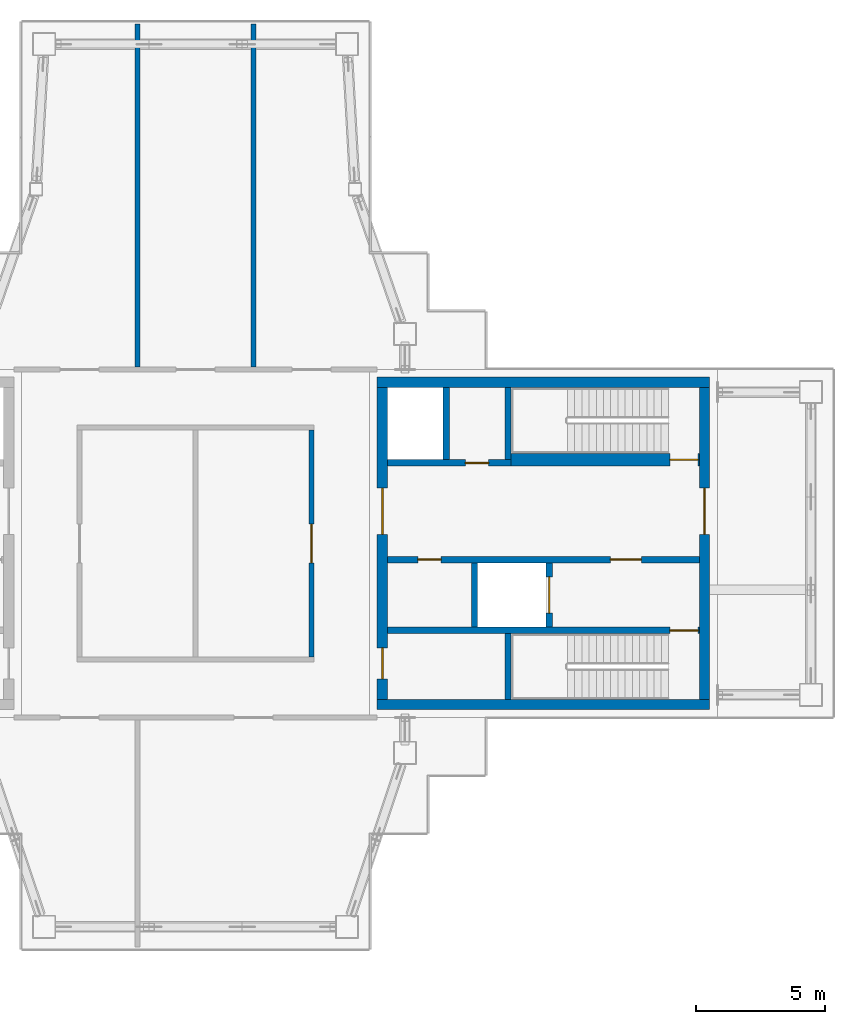
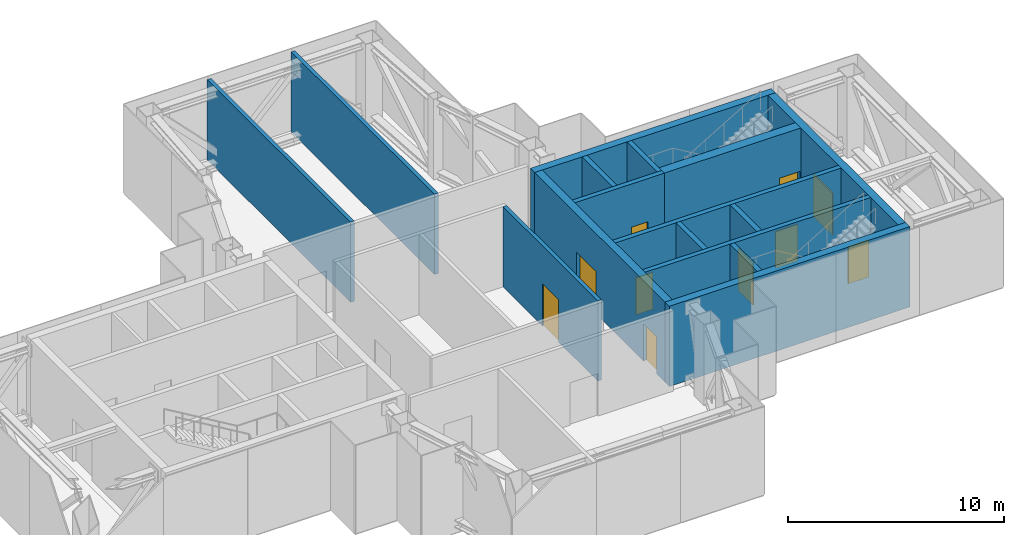
# One storey, part 9 of 18: 16 walls, 10 doors, 10 openings.
"""IFC4 building model written with IfcOpenShell, lengths in metres."""

from ifc_helpers import new_model, si_unit, direction, frame, frame_2d, origin, place, context, subcontext, project, spatial, rectangle, extrude, material, layer, layer_set, type_object, element, fill, save


model = new_model("IFC4")

# Units and contexts
model_context = context("Model", 3, precision=1e-05, world=origin(), true_north=direction((0.0, 1.0)))
body_context = subcontext(model_context, "Body", "Model", "MODEL_VIEW")
ifc_project = project(units=[si_unit("LENGTHUNIT", "METRE"), si_unit("AREAUNIT", "SQUARE_METRE"), si_unit("VOLUMEUNIT", "CUBIC_METRE"), si_unit("PLANEANGLEUNIT", "RADIAN"), si_unit("MASSUNIT", "GRAM", prefix="KILO")], contexts=[model_context])

# Site, building, storey
site_placement = place(None, origin())
site = spatial("IfcSite", under=ifc_project, at=site_placement, CompositionType="ELEMENT")
building_placement = place(site_placement, origin())
building = spatial("IfcBuilding", under=site, at=building_placement, Name="Shamsa Quay Exchange Towers", CompositionType="ELEMENT")
storey_placement = place(building_placement, frame((0.0, 0.0, 273.300048828125)))
storey = spatial("IfcBuildingStorey", under=building, at=storey_placement, Name="L66", CompositionType="ELEMENT", Elevation=273.300048828125)

# Walls
ifc_material_1 = material(Name="Concrete C60/75", Category="concrete")
ifc_layer_1 = layer(ifc_material_1, 0.39990234375)
ifc_layer_set_1 = layer_set([ifc_layer_1], Name="CORE WALL 400 C60/75")
wall_type_1 = type_object("IfcWallType", Name="CORE WALL 400 C60/75", PredefinedType="SHEAR", material=ifc_layer_set_1)
for number, where, z_axis, x_axis, name in (
    (1, (53.699951171875, -6.25, 0.0), (0.0, 0.0, 1.0), (-1.0, 0.0, 0.0), "Core wall T2B-L66-PS"),
    (2, (53.699951171875, 6.25, 0.0), (0.0, 0.0, 1.0), (-1.0, 0.0, 0.0), "Core wall T2B-L66-PN"),
):
    element("IfcWall", number, at=place(storey_placement, frame(where, z_axis=z_axis, x_axis=x_axis)), inside=storey, type_object=wall_type_1, Name=name, PredefinedType="SHEAR", context=body_context, shape_type="SweptSolid", body=[
        extrude(rectangle(XDim=12.89990234375, YDim=0.39990234375, at=frame_2d((6.449951171875, 0.0))), origin(), (0.0, 0.0, 1.0), 4.550048828125),
    ])

# Wall, opening, door
wall_1_placement = place(storey_placement, frame((53.5, -6.050048828125, 0.0), z_axis=(0.0, 0.0, 1.0), x_axis=(0.0, 1.0, 0.0)))
wall_1 = element("IfcWall", 3, at=wall_1_placement, inside=storey, type_object=wall_type_1, Name="Core wall T2B-L66-PF", PredefinedType="SHEAR", context=body_context, shape_type="SweptSolid", body=[
    extrude(rectangle(XDim=12.10009765625, YDim=0.39990234375, at=frame_2d((6.050048828125, 0.0))), origin(), (0.0, 0.0, 1.0), 4.550048828125),
])
opening_1_placement = place(wall_1_placement, frame((6.39990234375, 0.0, 0.0)))
opening_1 = element("IfcOpeningElement", 4, at=opening_1_placement, cuts=wall_1, Name="Opening T2B-L66-LBD01", PredefinedType="OPENING", context=body_context, shape_type="SweptSolid", body=[
    extrude(rectangle(XDim=1.800048828125, YDim=2.39990234375, at=frame_2d((0.89990234375, 1.199951171875))), frame((0.0, 0.2099609375, 0.0), z_axis=(0.0, -1.0, 0.0), x_axis=(1.0, 0.0, 0.0)), (0.0, 0.0, 1.0), 0.419921875),
])
ifc_material_2 = material(Name="Steel, fire rated", Category="steel")
door_type_1 = type_object("IfcDoorType", Name="LIFT LOBBY DOOR PAIR 1800", OperationType="DOUBLE_DOOR_SINGLE_SWING", PredefinedType="DOOR", material=ifc_material_2)
door_1_placement = place(opening_1_placement, origin())
door_1 = element("IfcDoor", 5, at=door_1_placement, inside=storey, type_object=door_type_1, Name="T2B-L66-LBD01", OperationType="DOUBLE_DOOR_SINGLE_SWING", OverallHeight=2.39990234375, OverallWidth=1.800048828125, PredefinedType="DOOR", context=body_context, shape_type="SweptSolid", body=[
    extrude(rectangle(XDim=1.800048828125, YDim=2.39990234375, at=frame_2d((0.89990234375, 1.199951171875))), frame((0.0, 0.02490234375, 0.0), z_axis=(0.0, -1.0, 0.0), x_axis=(1.0, 0.0, 0.0)), (0.0, 0.0, 1.0), 0.050048828125),
])
fill(opening_1, door_1)

# Wall, openings, doors
wall_2_placement = place(storey_placement, frame((41.0, -6.050048828125, 0.0), z_axis=(0.0, 0.0, 1.0), x_axis=(0.0, 1.0, 0.0)))
wall_2 = element("IfcWall", 6, at=wall_2_placement, inside=storey, type_object=wall_type_1, Name="Core wall T2B-L66-PB", PredefinedType="SHEAR", context=body_context, shape_type="SweptSolid", body=[
    extrude(rectangle(XDim=12.10009765625, YDim=0.39990234375, at=frame_2d((6.050048828125, 0.0))), origin(), (0.0, 0.0, 1.0), 4.550048828125),
])
opening_2_placement = place(wall_2_placement, frame((0.800048828125, 0.0, 0.0)))
opening_2 = element("IfcOpeningElement", 7, at=opening_2_placement, cuts=wall_2, Name="Opening T2B-L66-RD02", PredefinedType="OPENING", context=body_context, shape_type="SweptSolid", body=[
    extrude(rectangle(XDim=1.199951171875, YDim=2.10009765625, at=frame_2d((0.60009765625, 1.050048828125))), frame((0.0, 0.2099609375, 0.0), z_axis=(0.0, -1.0, 0.0), x_axis=(1.0, 0.0, 0.0)), (0.0, 0.0, 1.0), 0.419921875),
])
opening_3_placement = place(wall_2_placement, frame((6.39990234375, 0.0, 0.0)))
opening_3 = element("IfcOpeningElement", 8, at=opening_3_placement, cuts=wall_2, Name="Opening T2B-L66-LBD03", PredefinedType="OPENING", context=body_context, shape_type="SweptSolid", body=[
    extrude(rectangle(XDim=1.800048828125, YDim=2.39990234375, at=frame_2d((0.89990234375, 1.199951171875))), frame((0.0, 0.2099609375, 0.0), z_axis=(0.0, -1.0, 0.0), x_axis=(1.0, 0.0, 0.0)), (0.0, 0.0, 1.0), 0.419921875),
])
door_2_placement = place(opening_3_placement, origin())
door_2 = element("IfcDoor", 9, at=door_2_placement, inside=storey, type_object=door_type_1, Name="T2B-L66-LBD03", OperationType="DOUBLE_DOOR_SINGLE_SWING", OverallHeight=2.39990234375, OverallWidth=1.800048828125, PredefinedType="DOOR", context=body_context, shape_type="SweptSolid", body=[
    extrude(rectangle(XDim=1.800048828125, YDim=2.39990234375, at=frame_2d((0.89990234375, 1.199951171875))), frame((0.0, 0.02490234375, 0.0), z_axis=(0.0, -1.0, 0.0), x_axis=(1.0, 0.0, 0.0)), (0.0, 0.0, 1.0), 0.050048828125),
])
fill(opening_3, door_2)
door_type_2 = type_object("IfcDoorType", Name="RISER ACCESS DOOR 1200", OperationType="SINGLE_SWING_LEFT", PredefinedType="DOOR", material=ifc_material_2)
door_3_placement = place(opening_2_placement, origin())
door_3 = element("IfcDoor", 10, at=door_3_placement, inside=storey, type_object=door_type_2, Name="T2B-L66-RD02", OperationType="SINGLE_SWING_LEFT", OverallHeight=2.10009765625, OverallWidth=1.199951171875, PredefinedType="DOOR", context=body_context, shape_type="SweptSolid", body=[
    extrude(rectangle(XDim=1.199951171875, YDim=2.10009765625, at=frame_2d((0.60009765625, 1.050048828125))), frame((0.0, 0.02490234375, 0.0), z_axis=(0.0, -1.0, 0.0), x_axis=(1.0, 0.0, 0.0)), (0.0, 0.0, 1.0), 0.050048828125),
])
fill(opening_2, door_3)

# Wall, opening, door
ifc_material_3 = material(Name="Gypsum board partition on metal studs")
ifc_layer_2 = layer(ifc_material_3, 0.199951171875)
ifc_layer_set_2 = layer_set([ifc_layer_2], Name="Partition 200 mm EI 120")
wall_type_2 = type_object("IfcWallType", Name="Partition 200 mm EI 120", PredefinedType="PARTITIONING", material=ifc_layer_set_2)
wall_3_placement = place(storey_placement, frame((38.25, -4.39990234375, 0.0), z_axis=(0.0, 0.0, 1.0), x_axis=(0.0, 1.0, 0.0)))
wall_3 = element("IfcWall", 11, at=wall_3_placement, inside=storey, type_object=wall_type_2, Name="Partition T2-L66-W01", PredefinedType="PARTITIONING", context=body_context, shape_type="SweptSolid", body=[
    extrude(rectangle(XDim=8.7998046875, YDim=0.199951171875, at=frame_2d((4.39990234375, 0.0))), origin(), (0.0, 0.0, 1.0), 4.550048828125),
])
opening_4_placement = place(wall_3_placement, frame((3.64990234375, 0.0, 0.0)))
opening_4 = element("IfcOpeningElement", 12, at=opening_4_placement, cuts=wall_3, Name="Opening T2-L66-D04", PredefinedType="OPENING", context=body_context, shape_type="SweptSolid", body=[
    extrude(rectangle(XDim=1.5, YDim=2.39990234375, at=frame_2d((0.75, 1.199951171875))), frame((0.0, 0.10986328125, 0.0), z_axis=(0.0, -1.0, 0.0), x_axis=(1.0, 0.0, 0.0)), (0.0, 0.0, 1.0), 0.219970703125),
])
ifc_material_4 = material(Name="Timber door leaf in a metal frame", Category="wood")
door_type_3 = type_object("IfcDoorType", Name="Door 1500x2400 FD60 pair", OperationType="NOTDEFINED", PredefinedType="DOOR", material=ifc_material_4)
door_4_placement = place(opening_4_placement, origin())
door_4 = element("IfcDoor", 13, at=door_4_placement, inside=storey, type_object=door_type_3, Name="Door T2-L66-D04", OperationType="DOUBLE_DOOR_SINGLE_SWING", OverallHeight=2.39990234375, OverallWidth=1.5, PredefinedType="DOOR", context=body_context, shape_type="SweptSolid", body=[
    extrude(rectangle(XDim=1.5, YDim=2.39990234375, at=frame_2d((0.75, 1.199951171875))), frame((0.0, 0.02490234375, 0.0), z_axis=(0.0, -1.0, 0.0), x_axis=(1.0, 0.0, 0.0)), (0.0, 0.0, 1.0), 0.050048828125),
])
fill(opening_4, door_4)

# Walls
for number, where, z_axis, x_axis, name in (
    (14, (36.0, 20.155029296875, 0.0), (0.0, 0.0, 1.0), (0.0, -1.0, 0.0), "Partition T2-L66-W08"),
    (15, (31.5, 20.155029296875, 0.0), (0.0, 0.0, 1.0), (0.0, -1.0, 0.0), "Partition T2-L66-W10"),
):
    element("IfcWall", number, at=place(storey_placement, frame(where, z_axis=z_axis, x_axis=x_axis)), inside=storey, type_object=wall_type_2, Name=name, PredefinedType="PARTITIONING", context=body_context, shape_type="SweptSolid", body=[
        extrude(rectangle(XDim=13.304931640625, YDim=0.199951171875, at=frame_2d((6.65234375, 0.0))), origin(), (0.0, 0.0, 1.0), 4.550048828125),
    ])

# Wall, opening, door
ifc_material_5 = material(Name="Concrete C50/60", Category="concrete")
ifc_layer_3 = layer(ifc_material_5, 0.25)
ifc_layer_set_3 = layer_set([ifc_layer_3], Name="SHAFT WALL 250 C50/60")
wall_type_3 = type_object("IfcWallType", Name="SHAFT WALL 250 C50/60", PredefinedType="SHEAR", material=ifc_layer_set_3)
wall_4_placement = place(storey_placement, frame((53.300048828125, -3.375, 0.0), z_axis=(0.0, 0.0, 1.0), x_axis=(-1.0, 0.0, 0.0)))
wall_4 = element("IfcWall", 16, at=wall_4_placement, inside=storey, type_object=wall_type_3, Name="Shaft wall T2B-L66-STL", PredefinedType="SHEAR", context=body_context, shape_type="SweptSolid", body=[
    extrude(rectangle(XDim=12.10009765625, YDim=0.25, at=frame_2d((6.050048828125, 0.0))), origin(), (0.0, 0.0, 1.0), 4.550048828125),
])
opening_5_placement = place(wall_4_placement, frame((0.050048828125, 0.0, 0.0)))
opening_5 = element("IfcOpeningElement", 17, at=opening_5_placement, cuts=wall_4, Name="Opening T2B-L66-SD04", PredefinedType="OPENING", context=body_context, shape_type="SweptSolid", body=[
    extrude(rectangle(XDim=1.10009765625, YDim=2.10009765625, at=frame_2d((0.550048828125, 1.050048828125))), frame((0.0, 0.135009765625, 0.0), z_axis=(0.0, -1.0, 0.0), x_axis=(1.0, 0.0, 0.0)), (0.0, 0.0, 1.0), 0.27001953125),
])
door_type_4 = type_object("IfcDoorType", Name="STAIR DOOR 1100", OperationType="SINGLE_SWING_LEFT", PredefinedType="DOOR", material=ifc_material_2)
door_5_placement = place(opening_5_placement, origin())
door_5 = element("IfcDoor", 18, at=door_5_placement, inside=storey, type_object=door_type_4, Name="T2B-L66-SD04", OperationType="SINGLE_SWING_LEFT", OverallHeight=2.10009765625, OverallWidth=1.10009765625, PredefinedType="DOOR", context=body_context, shape_type="SweptSolid", body=[
    extrude(rectangle(XDim=1.10009765625, YDim=2.10009765625, at=frame_2d((0.550048828125, 1.050048828125))), frame((0.0, 0.02490234375, 0.0), z_axis=(0.0, -1.0, 0.0), x_axis=(1.0, 0.0, 0.0)), (0.0, 0.0, 1.0), 0.050048828125),
])
fill(opening_5, door_5)

# Wall
wall_5_placement = place(storey_placement, frame((45.875, -6.050048828125, 0.0), z_axis=(0.0, 0.0, 1.0), x_axis=(0.0, 1.0, 0.0)))
element("IfcWall", 19, at=wall_5_placement, inside=storey, type_object=wall_type_3, Name="Shaft wall T2B-L66-STF", PredefinedType="SHEAR", context=body_context, shape_type="SweptSolid", body=[
    extrude(rectangle(XDim=2.550048828125, YDim=0.25, at=frame_2d((1.27490234375, 0.0))), origin(), (0.0, 0.0, 1.0), 4.550048828125),
])

# Wall, openings, doors
wall_6_placement = place(storey_placement, frame((53.300048828125, -0.625, 0.0), z_axis=(0.0, 0.0, 1.0), x_axis=(-1.0, 0.0, 0.0)))
wall_6 = element("IfcWall", 20, at=wall_6_placement, inside=storey, type_object=wall_type_3, Name="Shaft wall T2B-L66-B", PredefinedType="SHEAR", context=body_context, shape_type="SweptSolid", body=[
    extrude(rectangle(XDim=12.10009765625, YDim=0.25, at=frame_2d((6.050048828125, 0.0))), origin(), (0.0, 0.0, 1.0), 4.550048828125),
])
opening_6_placement = place(wall_6_placement, frame((2.25, 0.0, 0.0)))
opening_6 = element("IfcOpeningElement", 21, at=opening_6_placement, cuts=wall_6, Name="Opening T2B-L66-FD05", PredefinedType="OPENING", context=body_context, shape_type="SweptSolid", body=[
    extrude(rectangle(XDim=1.199951171875, YDim=2.10009765625, at=frame_2d((0.60009765625, 1.050048828125))), frame((0.0, 0.135009765625, 0.0), z_axis=(0.0, -1.0, 0.0), x_axis=(1.0, 0.0, 0.0)), (0.0, 0.0, 1.0), 0.27001953125),
])
opening_7_placement = place(wall_6_placement, frame((10.02490234375, 0.0, 0.0)))
opening_7 = element("IfcOpeningElement", 22, at=opening_7_placement, cuts=wall_6, Name="Opening T2B-L66-SV06", PredefinedType="OPENING", context=body_context, shape_type="SweptSolid", body=[
    extrude(rectangle(XDim=0.89990234375, YDim=2.10009765625, at=frame_2d((0.449951171875, 1.050048828125))), frame((0.0, 0.135009765625, 0.0), z_axis=(0.0, -1.0, 0.0), x_axis=(1.0, 0.0, 0.0)), (0.0, 0.0, 1.0), 0.27001953125),
])
door_type_5 = type_object("IfcDoorType", Name="FIRE SERVICE LOBBY DOOR 1200", OperationType="SINGLE_SWING_LEFT", PredefinedType="DOOR", material=ifc_material_2)
door_6_placement = place(opening_6_placement, origin())
door_6 = element("IfcDoor", 23, at=door_6_placement, inside=storey, type_object=door_type_5, Name="T2B-L66-FD05", OperationType="SINGLE_SWING_LEFT", OverallHeight=2.10009765625, OverallWidth=1.199951171875, PredefinedType="DOOR", context=body_context, shape_type="SweptSolid", body=[
    extrude(rectangle(XDim=1.199951171875, YDim=2.10009765625, at=frame_2d((0.60009765625, 1.050048828125))), frame((0.0, 0.02490234375, 0.0), z_axis=(0.0, -1.0, 0.0), x_axis=(1.0, 0.0, 0.0)), (0.0, 0.0, 1.0), 0.050048828125),
])
fill(opening_6, door_6)
door_type_6 = type_object("IfcDoorType", Name="SERVICE ROOM DOOR 900", OperationType="SINGLE_SWING_LEFT", PredefinedType="DOOR", material=ifc_material_2)
door_7_placement = place(opening_7_placement, origin())
door_7 = element("IfcDoor", 24, at=door_7_placement, inside=storey, type_object=door_type_6, Name="T2B-L66-SV06", OperationType="SINGLE_SWING_RIGHT", OverallHeight=2.10009765625, OverallWidth=0.89990234375, PredefinedType="DOOR", context=body_context, shape_type="SweptSolid", body=[
    extrude(rectangle(XDim=0.89990234375, YDim=2.10009765625, at=frame_2d((0.449951171875, 1.050048828125))), frame((0.0, 0.02490234375, 0.0), z_axis=(0.0, -1.0, 0.0), x_axis=(1.0, 0.0, 0.0)), (0.0, 0.0, 1.0), 0.050048828125),
])
fill(opening_7, door_7)

# Wall, opening, door
wall_7_placement = place(storey_placement, frame((47.47509765625, -3.25, 0.0), z_axis=(0.0, 0.0, 1.0), x_axis=(0.0, 1.0, 0.0)))
wall_7 = element("IfcWall", 25, at=wall_7_placement, inside=storey, type_object=wall_type_3, Name="Shaft wall T2B-L66-FFF", PredefinedType="SHEAR", context=body_context, shape_type="SweptSolid", body=[
    extrude(rectangle(XDim=2.5, YDim=0.25, at=frame_2d((1.25, 0.0))), origin(), (0.0, 0.0, 1.0), 4.550048828125),
])
opening_8_placement = place(wall_7_placement, frame((0.550048828125, 0.0, 0.0)))
opening_8 = element("IfcOpeningElement", 26, at=opening_8_placement, cuts=wall_7, Name="Opening T2B-L66-LDG07", PredefinedType="OPENING", context=body_context, shape_type="SweptSolid", body=[
    extrude(rectangle(XDim=1.39990234375, YDim=2.39990234375, at=frame_2d((0.699951171875, 1.199951171875))), frame((0.0, 0.135009765625, 0.0), z_axis=(0.0, -1.0, 0.0), x_axis=(1.0, 0.0, 0.0)), (0.0, 0.0, 1.0), 0.27001953125),
])
door_type_7 = type_object("IfcDoorType", Name="GOODS LIFT LANDING DOOR 1400", OperationType="SLIDING_TO_LEFT", PredefinedType="DOOR", material=ifc_material_2)
door_8_placement = place(opening_8_placement, origin())
door_8 = element("IfcDoor", 27, at=door_8_placement, inside=storey, type_object=door_type_7, Name="T2B-L66-LDG07", OperationType="SLIDING_TO_LEFT", OverallHeight=2.39990234375, OverallWidth=1.39990234375, PredefinedType="DOOR", context=body_context, shape_type="SweptSolid", body=[
    extrude(rectangle(XDim=1.39990234375, YDim=2.39990234375, at=frame_2d((0.699951171875, 1.199951171875))), frame((0.0, 0.02490234375, 0.0), z_axis=(0.0, -1.0, 0.0), x_axis=(1.0, 0.0, 0.0)), (0.0, 0.0, 1.0), 0.050048828125),
])
fill(opening_8, door_8)

# Wall
wall_8_placement = place(storey_placement, frame((44.574951171875, -3.25, 0.0), z_axis=(0.0, 0.0, 1.0), x_axis=(0.0, 1.0, 0.0)))
element("IfcWall", 28, at=wall_8_placement, inside=storey, type_object=wall_type_3, Name="Shaft wall T2B-L66-FFB", PredefinedType="SHEAR", context=body_context, shape_type="SweptSolid", body=[
    extrude(rectangle(XDim=2.5, YDim=0.25, at=frame_2d((1.25, 0.0))), origin(), (0.0, 0.0, 1.0), 4.550048828125),
])

# Wall, opening, door
wall_9_placement = place(storey_placement, frame((41.199951171875, 3.125, 0.0)))
wall_9 = element("IfcWall", 29, at=wall_9_placement, inside=storey, type_object=wall_type_3, Name="Shaft wall T2B-L66-N2", PredefinedType="SHEAR", context=body_context, shape_type="SweptSolid", body=[
    extrude(rectangle(XDim=4.800048828125, YDim=0.25, at=frame_2d((2.39990234375, 0.0))), origin(), (0.0, 0.0, 1.0), 4.550048828125),
])
opening_9_placement = place(wall_9_placement, frame((3.02490234375, 0.0, 0.0)))
opening_9 = element("IfcOpeningElement", 30, at=opening_9_placement, cuts=wall_9, Name="Opening T2B-L66-SV09", PredefinedType="OPENING", context=body_context, shape_type="SweptSolid", body=[
    extrude(rectangle(XDim=0.89990234375, YDim=2.10009765625, at=frame_2d((0.449951171875, 1.050048828125))), frame((0.0, 0.135009765625, 0.0), z_axis=(0.0, -1.0, 0.0), x_axis=(1.0, 0.0, 0.0)), (0.0, 0.0, 1.0), 0.27001953125),
])
door_9_placement = place(opening_9_placement, origin())
door_9 = element("IfcDoor", 31, at=door_9_placement, inside=storey, type_object=door_type_6, Name="T2B-L66-SV09", OperationType="SINGLE_SWING_RIGHT", OverallHeight=2.10009765625, OverallWidth=0.89990234375, PredefinedType="DOOR", context=body_context, shape_type="SweptSolid", body=[
    extrude(rectangle(XDim=0.89990234375, YDim=2.10009765625, at=frame_2d((0.449951171875, 1.050048828125))), frame((0.0, 0.02490234375, 0.0), z_axis=(0.0, -1.0, 0.0), x_axis=(1.0, 0.0, 0.0)), (0.0, 0.0, 1.0), 0.050048828125),
])
fill(opening_9, door_9)

# Walls
for number, where, z_axis, x_axis, name in (
    (32, (45.875, 3.25, 0.0), (0.0, 0.0, 1.0), (0.0, 1.0, 0.0), "Shaft wall T2B-L66-STF2"),
    (33, (43.47509765625, 3.25, 0.0), (0.0, 0.0, 1.0), (0.0, 1.0, 0.0), "Shaft wall T2B-L66-D0"),
):
    element("IfcWall", number, at=place(storey_placement, frame(where, z_axis=z_axis, x_axis=x_axis)), inside=storey, type_object=wall_type_3, Name=name, PredefinedType="SHEAR", context=body_context, shape_type="SweptSolid", body=[
        extrude(rectangle(XDim=2.800048828125, YDim=0.25, at=frame_2d((1.39990234375, 0.0))), origin(), (0.0, 0.0, 1.0), 4.550048828125),
    ])

# Wall, opening, door
ifc_layer_4 = layer(ifc_material_5, 0.5)
ifc_layer_set_4 = layer_set([ifc_layer_4], Name="SHAFT WALL 500 C50/60")
wall_type_4 = type_object("IfcWallType", Name="SHAFT WALL 500 C50/60", PredefinedType="SHEAR", material=ifc_layer_set_4)
wall_10_placement = place(storey_placement, frame((46.0, 3.25, 0.0)))
wall_10 = element("IfcWall", 34, at=wall_10_placement, inside=storey, type_object=wall_type_4, Name="Shaft wall T2B-L66-N", PredefinedType="SHEAR", context=body_context, shape_type="SweptSolid", body=[
    extrude(rectangle(XDim=7.300048828125, YDim=0.5, at=frame_2d((3.64990234375, 0.0))), origin(), (0.0, 0.0, 1.0), 4.550048828125),
])
opening_10_placement = place(wall_10_placement, frame((6.14990234375, 0.0, 0.0)))
opening_10 = element("IfcOpeningElement", 35, at=opening_10_placement, cuts=wall_10, Name="Opening T2B-L66-SD08", PredefinedType="OPENING", context=body_context, shape_type="SweptSolid", body=[
    extrude(rectangle(XDim=1.10009765625, YDim=2.10009765625, at=frame_2d((0.550048828125, 1.050048828125))), frame((0.0, 0.260009765625, 0.0), z_axis=(0.0, -1.0, 0.0), x_axis=(1.0, 0.0, 0.0)), (0.0, 0.0, 1.0), 0.52001953125),
])
door_10_placement = place(opening_10_placement, origin())
door_10 = element("IfcDoor", 36, at=door_10_placement, inside=storey, type_object=door_type_4, Name="T2B-L66-SD08", OperationType="SINGLE_SWING_RIGHT", OverallHeight=2.10009765625, OverallWidth=1.10009765625, PredefinedType="DOOR", context=body_context, shape_type="SweptSolid", body=[
    extrude(rectangle(XDim=1.10009765625, YDim=2.10009765625, at=frame_2d((0.550048828125, 1.050048828125))), frame((0.0, 0.02490234375, 0.0), z_axis=(0.0, -1.0, 0.0), x_axis=(1.0, 0.0, 0.0)), (0.0, 0.0, 1.0), 0.050048828125),
])
fill(opening_10, door_10)

save(model, "model.ifc")
